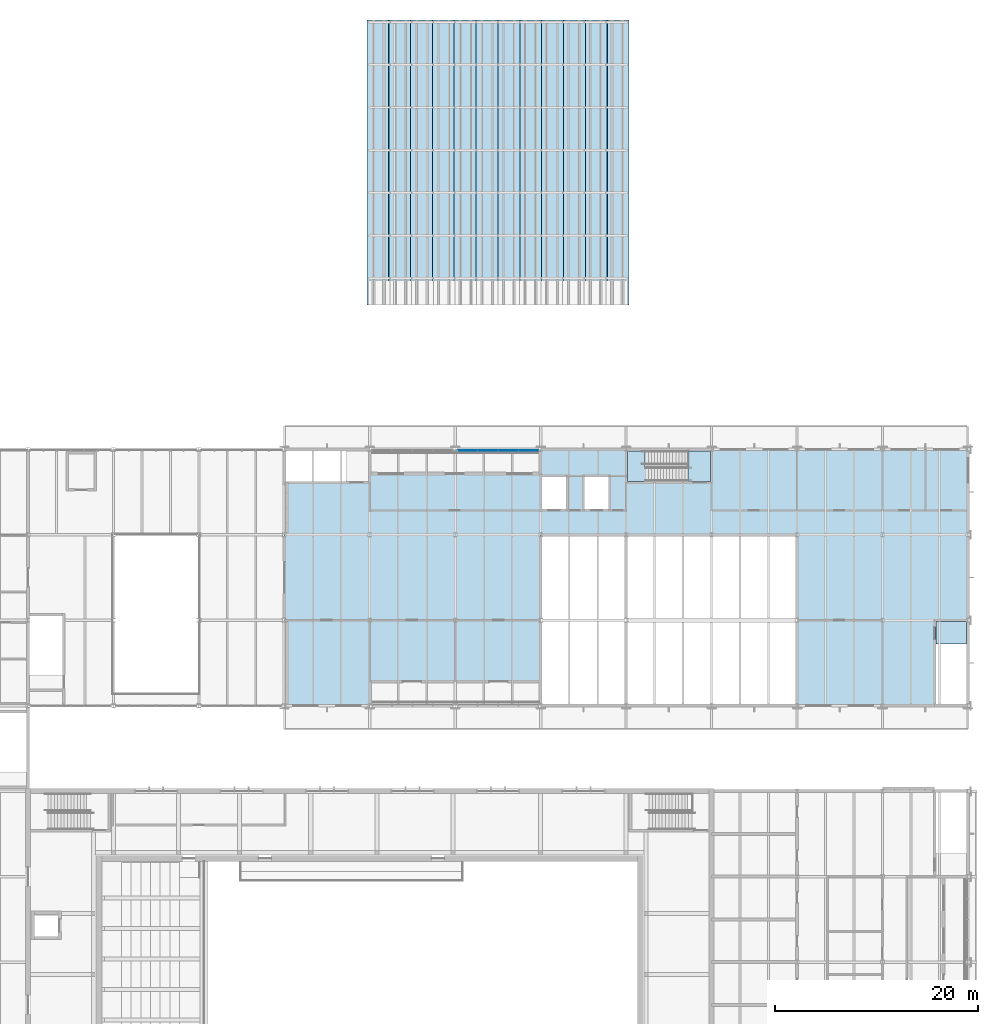
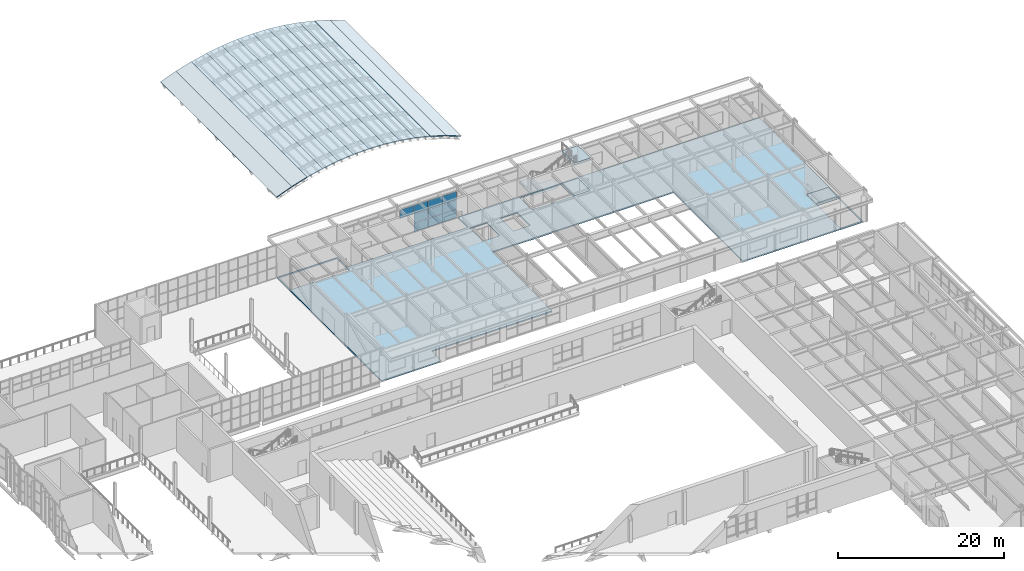
# One storey, part 65 of 116: 17 slabs, 10 plates, 2 elements without a shape of their own.
"""IFC4 building model written with IfcOpenShell, lengths in metres."""

from ifc_helpers import new_model, si_unit, direction, frame, origin, origin_2d, place, context, subcontext, project, spatial, polyline, rectangle, outline, extrude, material, layer, layer_set, type_object, element, aggregate, save


model = new_model("IFC4")

# Units and contexts
model_context = context("Model", 3, precision=1e-05, world=origin(), true_north=direction((0.0, 1.0)))
body_context = subcontext(model_context, "Body", "Model", "MODEL_VIEW")
ifc_project = project(units=[si_unit("LENGTHUNIT", "METRE"), si_unit("AREAUNIT", "SQUARE_METRE"), si_unit("VOLUMEUNIT", "CUBIC_METRE"), si_unit("PLANEANGLEUNIT", "RADIAN"), si_unit("MASSUNIT", "GRAM", prefix="KILO")], contexts=[model_context])

# Site, building, storey
site_placement = place(None, origin())
site = spatial("IfcSite", under=ifc_project, at=site_placement, CompositionType="ELEMENT")
building_placement = place(site_placement, origin())
building = spatial("IfcBuilding", under=site, at=building_placement, Name="Ljudholm Concert House", CompositionType="ELEMENT")
storey_placement = place(building_placement, frame((0.0, 0.0, 10.199951171875)))
storey = spatial("IfcBuildingStorey", under=building, at=storey_placement, Name="L02", CompositionType="ELEMENT", Elevation=10.199951171875)

# Slab
ifc_material_1 = material(Name="Concrete 5,000 psi", Category="concrete")
ifc_layer_1 = layer(ifc_material_1, 0.179931640625)
ifc_layer_set_1 = layer_set([ifc_layer_1], Name="Concrete 5,000 psi")
slab_type_1 = type_object("IfcSlabType", Name="COMPOSITE FLOOR SLAB 180", PredefinedType="FLOOR", material=ifc_layer_set_1)
slab_1_placement = place(storey_placement, frame((0.0, 0.0, -0.179931640625)))
element("IfcSlab", 1, at=slab_1_placement, inside=storey, type_object=slab_type_1, Name="Composite floor slab", PredefinedType="FLOOR", context=body_context, shape_type="SweptSolid", body=[
    extrude(outline(polyline([(54.39990234375, 104.800048828125), (54.39990234375, 130.0), (62.800048828125, 130.0), (62.800048828125, 127.60009765625), (79.60009765625, 127.60009765625), (79.60009765625, 130.0), (121.60009765625, 130.0), (121.60009765625, 104.800048828125), (104.800048828125, 104.800048828125), (104.800048828125, 121.60009765625), (88.0, 121.60009765625), (79.60009765625, 121.60009765625), (79.60009765625, 107.199951171875), (62.800048828125, 107.199951171875), (62.800048828125, 104.800048828125), (54.39990234375, 104.800048828125)]), holes=[polyline([(121.449951171875, 113.074951171875), (118.449951171875, 113.074951171875), (118.449951171875, 104.949951171875), (121.449951171875, 104.949951171875), (121.449951171875, 113.074951171875)]), polyline([(82.074951171875, 127.27490234375), (79.72509765625, 127.27490234375), (79.72509765625, 124.125), (82.074951171875, 124.125), (82.074951171875, 127.27490234375)]), polyline([(86.27490234375, 127.27490234375), (83.925048828125, 127.27490234375), (83.925048828125, 124.125), (86.27490234375, 124.125), (86.27490234375, 127.27490234375)]), polyline([(62.675048828125, 129.85009765625), (54.550048828125, 129.85009765625), (54.550048828125, 126.85009765625), (62.675048828125, 126.85009765625), (62.675048828125, 129.85009765625)]), polyline([(96.27490234375, 129.85009765625), (88.125, 129.85009765625), (88.125, 126.85009765625), (96.27490234375, 126.85009765625), (96.27490234375, 129.85009765625)])]), origin(), (0.0, 0.0, 1.0), 0.179931640625),
])

# Curtain wall, plates
ifc_material_2 = material(Name="Aluminium curtain wall with fixed aluminium storm louvre blades, timber-grain finish", Category="aluminium")
curtain_wall_type = type_object("IfcCurtainWallType", Name="CURTAIN WALL 2000", PredefinedType="NOTDEFINED", material=ifc_material_2)
curtain_wall_placement = place(storey_placement, origin())
curtain_wall = element("IfcCurtainWall", 2, at=curtain_wall_placement, inside=storey, type_object=curtain_wall_type, Name="Storm louvre screen", PredefinedType="NOTDEFINED")
ifc_material_3 = material(Name="Fixed aluminium storm louvre blades, timber-grain finish", Category="aluminium")
ifc_layer_2 = layer(ifc_material_3, 0.030029296875)
ifc_layer_set_2 = layer_set([ifc_layer_2], Name="Fixed aluminium storm louvre blades, timber-grain finish")
plate_type = type_object("IfcPlateType", Name="CURTAIN PANEL 30", PredefinedType="CURTAIN_PANEL", material=ifc_layer_set_2)
plate_1_placement = place(storey_placement, frame((72.407470703125, 129.89990234375, 2.7021484375), z_axis=(0.0, 0.0, 1.0), x_axis=(1.0, 0.0, 0.0)))
plate_1 = element("IfcPlate", 3, at=plate_1_placement, type_object=plate_type, Name="Curtain wall panel", PredefinedType="CURTAIN_PANEL", context=body_context, shape_type="SweptSolid", body=[
    extrude(rectangle(XDim=1.9150390625, YDim=0.030029296875, at=origin_2d()), origin(), (0.0, 0.0, 1.0), 1.245849609375),
])
plate_2_placement = place(storey_placement, frame((74.3974609375, 129.89990234375, 0.06005859375), z_axis=(0.0, 0.0, 1.0), x_axis=(1.0, 0.0, 0.0)))
plate_2 = element("IfcPlate", 4, at=plate_2_placement, type_object=plate_type, Name="Curtain wall panel", PredefinedType="CURTAIN_PANEL", context=body_context, shape_type="SweptSolid", body=[
    extrude(rectangle(XDim=1.945068359375, YDim=0.030029296875, at=origin_2d()), origin(), (0.0, 0.0, 1.0), 1.245849609375),
])
plate_3_placement = place(storey_placement, frame((74.3974609375, 129.89990234375, 1.365966796875), z_axis=(0.0, 0.0, 1.0), x_axis=(1.0, 0.0, 0.0)))
plate_3 = element("IfcPlate", 5, at=plate_3_placement, type_object=plate_type, Name="Curtain wall panel", PredefinedType="CURTAIN_PANEL", context=body_context, shape_type="SweptSolid", body=[
    extrude(rectangle(XDim=1.945068359375, YDim=0.030029296875, at=origin_2d()), origin(), (0.0, 0.0, 1.0), 1.27587890625),
])
plate_4_placement = place(storey_placement, frame((74.3974609375, 129.89990234375, 2.7021484375), z_axis=(0.0, 0.0, 1.0), x_axis=(1.0, 0.0, 0.0)))
plate_4 = element("IfcPlate", 6, at=plate_4_placement, type_object=plate_type, Name="Curtain wall panel", PredefinedType="CURTAIN_PANEL", context=body_context, shape_type="SweptSolid", body=[
    extrude(rectangle(XDim=1.945068359375, YDim=0.030029296875, at=origin_2d()), origin(), (0.0, 0.0, 1.0), 1.245849609375),
])
plate_5_placement = place(storey_placement, frame((76.402587890625, 129.89990234375, 0.06005859375), z_axis=(0.0, 0.0, 1.0), x_axis=(1.0, 0.0, 0.0)))
plate_5 = element("IfcPlate", 7, at=plate_5_placement, type_object=plate_type, Name="Curtain wall panel", PredefinedType="CURTAIN_PANEL", context=body_context, shape_type="SweptSolid", body=[
    extrude(rectangle(XDim=1.945068359375, YDim=0.030029296875, at=origin_2d()), origin(), (0.0, 0.0, 1.0), 1.245849609375),
])
plate_6_placement = place(storey_placement, frame((76.402587890625, 129.89990234375, 1.365966796875), z_axis=(0.0, 0.0, 1.0), x_axis=(1.0, 0.0, 0.0)))
plate_6 = element("IfcPlate", 8, at=plate_6_placement, type_object=plate_type, Name="Curtain wall panel", PredefinedType="CURTAIN_PANEL", context=body_context, shape_type="SweptSolid", body=[
    extrude(rectangle(XDim=1.945068359375, YDim=0.030029296875, at=origin_2d()), origin(), (0.0, 0.0, 1.0), 1.27587890625),
])
plate_7_placement = place(storey_placement, frame((76.402587890625, 129.89990234375, 2.7021484375), z_axis=(0.0, 0.0, 1.0), x_axis=(1.0, 0.0, 0.0)))
plate_7 = element("IfcPlate", 9, at=plate_7_placement, type_object=plate_type, Name="Curtain wall panel", PredefinedType="CURTAIN_PANEL", context=body_context, shape_type="SweptSolid", body=[
    extrude(rectangle(XDim=1.945068359375, YDim=0.030029296875, at=origin_2d()), origin(), (0.0, 0.0, 1.0), 1.245849609375),
])
plate_8_placement = place(storey_placement, frame((78.392578125, 129.89990234375, 0.06005859375), z_axis=(0.0, 0.0, 1.0), x_axis=(1.0, 0.0, 0.0)))
plate_8 = element("IfcPlate", 10, at=plate_8_placement, type_object=plate_type, Name="Curtain wall panel", PredefinedType="CURTAIN_PANEL", context=body_context, shape_type="SweptSolid", body=[
    extrude(rectangle(XDim=1.9150390625, YDim=0.030029296875, at=origin_2d()), origin(), (0.0, 0.0, 1.0), 1.245849609375),
])
plate_9_placement = place(storey_placement, frame((78.392578125, 129.89990234375, 1.365966796875), z_axis=(0.0, 0.0, 1.0), x_axis=(1.0, 0.0, 0.0)))
plate_9 = element("IfcPlate", 11, at=plate_9_placement, type_object=plate_type, Name="Curtain wall panel", PredefinedType="CURTAIN_PANEL", context=body_context, shape_type="SweptSolid", body=[
    extrude(rectangle(XDim=1.9150390625, YDim=0.030029296875, at=origin_2d()), origin(), (0.0, 0.0, 1.0), 1.27587890625),
])
plate_10_placement = place(storey_placement, frame((78.392578125, 129.89990234375, 2.7021484375), z_axis=(0.0, 0.0, 1.0), x_axis=(1.0, 0.0, 0.0)))
plate_10 = element("IfcPlate", 12, at=plate_10_placement, type_object=plate_type, Name="Curtain wall panel", PredefinedType="CURTAIN_PANEL", context=body_context, shape_type="SweptSolid", body=[
    extrude(rectangle(XDim=1.9150390625, YDim=0.030029296875, at=origin_2d()), origin(), (0.0, 0.0, 1.0), 1.245849609375),
])
aggregate(curtain_wall, [plate_1, plate_2, plate_3, plate_4, plate_5, plate_6, plate_7, plate_8, plate_9, plate_10])

# Stair, slab
ifc_material_4 = material(Name="Concrete 5,000 psi", Category="concrete")
stair_type = type_object("IfcStairType", Name="RC STAIR 1350x160x300", PredefinedType="HALF_TURN_STAIR", material=ifc_material_4)
stair_placement = place(storey_placement, origin())
stair = element("IfcStair", 13, at=stair_placement, inside=storey, type_object=stair_type, Name="Stair R2", PredefinedType="HALF_TURN_STAIR")
ifc_material_5 = material(Name="Concrete 5,000 psi", Category="concrete")
ifc_layer_3 = layer(ifc_material_5, 0.409912109375)
ifc_layer_set_3 = layer_set([ifc_layer_3], Name="Concrete 5,000 psi")
slab_type_2 = type_object("IfcSlabType", Name="RC LANDING 410", PredefinedType="LANDING", material=ifc_layer_set_3)
slab_2_placement = place(storey_placement, frame((0.0, 0.0, 1.989990234375)))
slab_2 = element("IfcSlab", 14, at=slab_2_placement, type_object=slab_type_2, Name="Stair landing", PredefinedType="LANDING", context=body_context, shape_type="SweptSolid", body=[
    extrude(outline(polyline([(91.705078125, 126.85009765625), (91.705078125, 128.25), (89.87548828125, 128.25), (89.87548828125, 129.85009765625), (88.125, 129.85009765625), (88.125, 126.85009765625), (91.705078125, 126.85009765625)])), origin(), (0.0, 0.0, 1.0), 0.41015625),
])
aggregate(stair, [slab_2])

# Slabs
slab_3_placement = place(storey_placement, frame((0.0, 0.0, -0.409912109375)))
element("IfcSlab", 15, at=slab_3_placement, inside=storey, type_object=slab_type_2, Name="Stair arrival slab", PredefinedType="LANDING", context=body_context, shape_type="SweptSolid", body=[
    extrude(outline(polyline([(96.27490234375, 129.85009765625), (96.27490234375, 126.85009765625), (94.074462890625, 126.85009765625), (94.074462890625, 129.85009765625), (96.27490234375, 129.85009765625)])), origin(), (0.0, 0.0, 1.0), 0.409912109375),
])
slab_4_placement = place(storey_placement, frame((0.0, 0.0, -0.409912109375)))
element("IfcSlab", 16, at=slab_4_placement, inside=storey, type_object=slab_type_2, Name="Stair arrival slab", PredefinedType="LANDING", context=body_context, shape_type="SweptSolid", body=[
    extrude(outline(polyline([(118.449951171875, 113.074951171875), (121.449951171875, 113.074951171875), (121.449951171875, 110.87451171875), (118.449951171875, 110.87451171875), (118.449951171875, 113.074951171875)])), origin(), (0.0, 0.0, 1.0), 0.409912109375),
])
slab_5_placement = place(storey_placement, frame((0.0, 0.0, 4.39013671875)))
element("IfcSlab", 17, at=slab_5_placement, inside=storey, type_object=slab_type_2, Name="Stair arrival slab", PredefinedType="LANDING", context=body_context, shape_type="SweptSolid", body=[
    extrude(outline(polyline([(96.27490234375, 129.85009765625), (96.27490234375, 126.85009765625), (94.074462890625, 126.85009765625), (94.074462890625, 129.85009765625), (96.27490234375, 129.85009765625)])), origin(), (0.0, 0.0, 1.0), 0.409912109375),
])
ifc_material_6 = material(Name="Steel ASTM A653 Gr. 50", Category="steel")
ifc_layer_4 = layer(ifc_material_6, 0.10009765625)
ifc_layer_set_4 = layer_set([ifc_layer_4], Name="Steel ASTM A653 Gr. 50")
slab_type_3 = type_object("IfcSlabType", Name="STEEL ROOF DECK 100", PredefinedType="ROOF", material=ifc_layer_set_4)
slab_6_placement = place(storey_placement, frame((62.527099609375, 144.199951171875, 0.3193359375), z_axis=(-0.359173112798, 0.0, 0.933270954784), x_axis=(0.933270954784, 0.0, 0.359173112798)))
element("IfcSlab", 18, at=slab_6_placement, inside=storey, type_object=slab_type_3, Name="Roof deck", PredefinedType="ROOF", context=body_context, shape_type="SweptSolid", body=[
    extrude(outline(polyline([(0.0, 0.0), (2.276414698068555, 0.0), (2.276414698068555, 28.0), (0.0, 28.0), (0.0, 0.0)])), origin(), (0.0, 0.0, -1.0), 0.10009765625),
])
slab_7_placement = place(storey_placement, frame((64.651611328125, 144.199951171875, 1.136962890625), z_axis=(-0.293963796718, 0.0, 0.95581655469), x_axis=(0.95581655469, 0.0, 0.293963796718)))
element("IfcSlab", 19, at=slab_7_placement, inside=storey, type_object=slab_type_3, Name="Roof deck", PredefinedType="ROOF", context=body_context, shape_type="SweptSolid", body=[
    extrude(outline(polyline([(0.0, 0.0), (2.2490280091690193, 0.0), (2.2490280091690193, 28.0), (0.0, 28.0), (0.0, 0.0)])), origin(), (0.0, 0.0, -1.0), 0.10009765625),
])
slab_8_placement = place(storey_placement, frame((66.80126953125, 144.199951171875, 1.798095703125), z_axis=(-0.228540124865, 0.0, 0.973534494164), x_axis=(0.973534494164, 0.0, 0.228540124865)))
element("IfcSlab", 20, at=slab_8_placement, inside=storey, type_object=slab_type_3, Name="Roof deck", PredefinedType="ROOF", context=body_context, shape_type="SweptSolid", body=[
    extrude(outline(polyline([(0.0, 0.0), (2.208096596486297, 0.0), (2.208096596486297, 28.0), (0.0, 28.0), (0.0, 0.0)])), origin(), (0.0, 0.0, -1.0), 0.10009765625),
])
slab_9_placement = place(storey_placement, frame((68.950927734375, 144.199951171875, 2.302734375), z_axis=(-0.163363227246, 0.0, 0.986565991702), x_axis=(0.986565991702, 0.0, 0.163363227246)))
element("IfcSlab", 21, at=slab_9_placement, inside=storey, type_object=slab_type_3, Name="Roof deck", PredefinedType="ROOF", context=body_context, shape_type="SweptSolid", body=[
    extrude(outline(polyline([(0.0, 0.0), (2.178929966373155, 0.0), (2.178929966373155, 28.0), (0.0, 28.0), (0.0, 0.0)])), origin(), (0.0, 0.0, -1.0), 0.10009765625),
])
slab_10_placement = place(storey_placement, frame((71.1005859375, 144.199951171875, 2.65869140625), z_axis=(-0.097880929366, 0.0, 0.995198132869), x_axis=(0.995198132869, 0.0, 0.097880929366)))
element("IfcSlab", 22, at=slab_10_placement, inside=storey, type_object=slab_type_3, Name="Roof deck", PredefinedType="ROOF", context=body_context, shape_type="SweptSolid", body=[
    extrude(outline(polyline([(0.0, 0.0), (2.160030382017757, 0.0), (2.160030382017757, 28.0), (0.0, 28.0), (0.0, 0.0)])), origin(), (0.0, 0.0, -1.0), 0.10009765625),
])
slab_11_placement = place(storey_placement, frame((73.250244140625, 144.199951171875, 2.8701171875), z_axis=(-0.032691205442, 0.0, 0.999465499698), x_axis=(0.999465499698, 0.0, 0.032691205442)))
element("IfcSlab", 23, at=slab_11_placement, inside=storey, type_object=slab_type_3, Name="Roof deck", PredefinedType="ROOF", context=body_context, shape_type="SweptSolid", body=[
    extrude(outline(polyline([(0.0, 0.0), (2.150807810549063, 0.0), (2.150807810549063, 28.0), (0.0, 28.0), (0.0, 0.0)])), origin(), (0.0, 0.0, -1.0), 0.10009765625),
])
slab_12_placement = place(storey_placement, frame((75.39990234375, 144.199951171875, 2.9404296875), z_axis=(0.03268749703, 0.0, 0.999465620988), x_axis=(0.999465620988, 0.0, -0.03268749703)))
element("IfcSlab", 24, at=slab_12_placement, inside=storey, type_object=slab_type_3, Name="Roof deck", PredefinedType="ROOF", context=body_context, shape_type="SweptSolid", body=[
    extrude(outline(polyline([(0.0, 0.0), (2.151051820695632, 0.0), (2.151051820695632, 28.0), (0.0, 28.0), (0.0, 0.0)])), origin(), (0.0, 0.0, -1.0), 0.10009765625),
])
slab_13_placement = place(storey_placement, frame((77.5498046875, 144.199951171875, 2.8701171875), z_axis=(0.097880929366, 0.0, 0.995198132869), x_axis=(0.995198132869, 0.0, -0.097880929366)))
element("IfcSlab", 25, at=slab_13_placement, inside=storey, type_object=slab_type_3, Name="Roof deck", PredefinedType="ROOF", context=body_context, shape_type="SweptSolid", body=[
    extrude(outline(polyline([(0.0, 0.0), (2.160030382017757, 0.0), (2.160030382017757, 28.0), (0.0, 28.0), (0.0, 0.0)])), origin(), (0.0, 0.0, -1.0), 0.10009765625),
])
slab_14_placement = place(storey_placement, frame((79.699462890625, 144.199951171875, 2.65869140625), z_axis=(0.163363227246, 0.0, 0.986565991702), x_axis=(0.986565991702, 0.0, -0.163363227246)))
element("IfcSlab", 26, at=slab_14_placement, inside=storey, type_object=slab_type_3, Name="Roof deck", PredefinedType="ROOF", context=body_context, shape_type="SweptSolid", body=[
    extrude(outline(polyline([(0.0, 0.0), (2.178929966373155, 0.0), (2.178929966373155, 28.0), (0.0, 28.0), (0.0, 0.0)])), origin(), (0.0, 0.0, -1.0), 0.10009765625),
])
slab_15_placement = place(storey_placement, frame((81.84912109375, 144.199951171875, 2.302734375), z_axis=(0.228540124865, 0.0, 0.973534494164), x_axis=(0.973534494164, 0.0, -0.228540124865)))
element("IfcSlab", 27, at=slab_15_placement, inside=storey, type_object=slab_type_3, Name="Roof deck", PredefinedType="ROOF", context=body_context, shape_type="SweptSolid", body=[
    extrude(outline(polyline([(0.0, 0.0), (2.208096596486297, 0.0), (2.208096596486297, 28.0), (0.0, 28.0), (0.0, 0.0)])), origin(), (0.0, 0.0, -1.0), 0.10009765625),
])
slab_16_placement = place(storey_placement, frame((83.998779296875, 144.199951171875, 1.798095703125), z_axis=(0.293963796718, 0.0, 0.95581655469), x_axis=(0.95581655469, 0.0, -0.293963796718)))
element("IfcSlab", 28, at=slab_16_placement, inside=storey, type_object=slab_type_3, Name="Roof deck", PredefinedType="ROOF", context=body_context, shape_type="SweptSolid", body=[
    extrude(outline(polyline([(0.0, 0.0), (2.2490280091690193, 0.0), (2.2490280091690193, 28.0), (0.0, 28.0), (0.0, 0.0)])), origin(), (0.0, 0.0, -1.0), 0.10009765625),
])
slab_17_placement = place(storey_placement, frame((86.1484375, 144.199951171875, 1.136962890625), z_axis=(0.359173112798, 0.0, 0.933270954784), x_axis=(0.933270954784, 0.0, -0.359173112798)))
element("IfcSlab", 29, at=slab_17_placement, inside=storey, type_object=slab_type_3, Name="Roof deck", PredefinedType="ROOF", context=body_context, shape_type="SweptSolid", body=[
    extrude(outline(polyline([(0.0, 0.0), (2.276414698068555, 0.0), (2.276414698068555, 28.0), (0.0, 28.0), (0.0, 0.0)])), origin(), (0.0, 0.0, -1.0), 0.10009765625),
])

save(model, "model.ifc")
